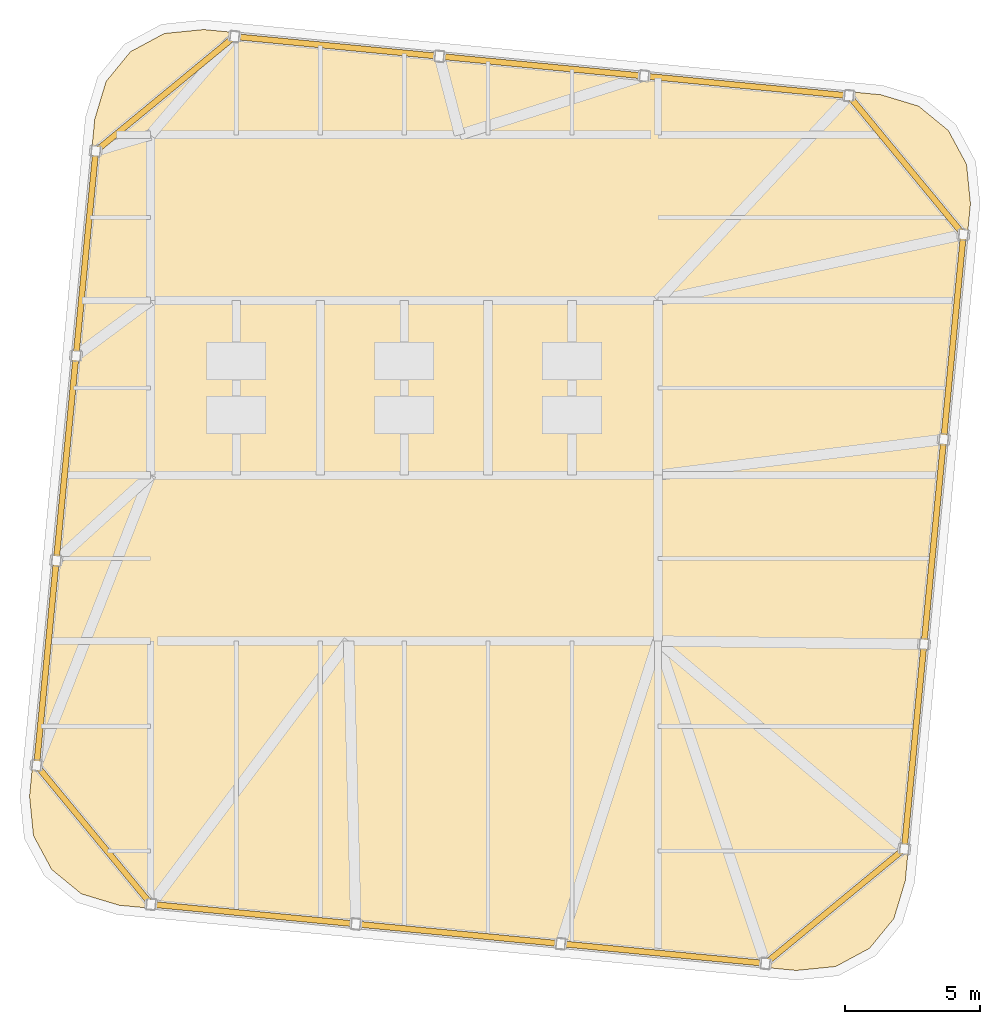
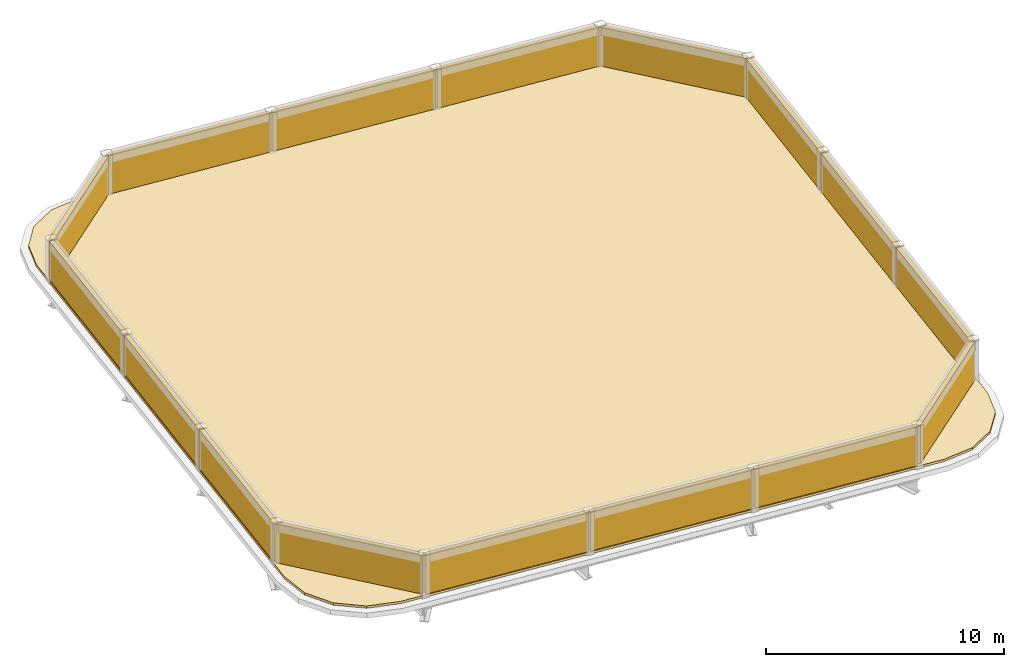
# One storey, part 4 of 4: 16 shading devices, 1 covering.
"""IFC4 building model written with IfcOpenShell, lengths in metres."""

from ifc_helpers import new_model, si_unit, direction, frame, origin, origin_2d, place, context, subcontext, project, spatial, polyline, rectangle, outline, extrude, material, layer, layer_set, type_object, element, save


model = new_model("IFC4")

# Units and contexts
model_context = context("Model", 3, precision=1e-05, world=origin(), true_north=direction((0.0, 1.0)))
body_context = subcontext(model_context, "Body", "Model", "MODEL_VIEW")
ifc_project = project(units=[si_unit("LENGTHUNIT", "METRE"), si_unit("AREAUNIT", "SQUARE_METRE"), si_unit("VOLUMEUNIT", "CUBIC_METRE"), si_unit("PLANEANGLEUNIT", "RADIAN"), si_unit("MASSUNIT", "GRAM", prefix="KILO")], contexts=[model_context])

# Site, building, storey
site_placement = place(None, origin())
site = spatial("IfcSite", under=ifc_project, at=site_placement, CompositionType="ELEMENT")
building_placement = place(site_placement, origin())
building = spatial("IfcBuilding", under=site, at=building_placement, Name="Qhalaya Broadcast Tower", CompositionType="ELEMENT")
storey_placement = place(building_placement, frame((0.0, 0.0, 296.75)))
storey = spatial("IfcBuildingStorey", under=building, at=storey_placement, Name="Roof", CompositionType="ELEMENT", Elevation=296.75)

# Covering
ifc_material_1 = material(Name="EPDM Insulated Roof Membrane")
ifc_layer = layer(ifc_material_1, 0.1201171875, Name="EPDM Insulated Roof Membrane")
ifc_layer_set = layer_set([ifc_layer], Name="EPDM Insulated Roof Membrane")
covering_type = type_object("IfcCoveringType", Name="EPDM Insulated Roof Membrane Assembly RFG-01", PredefinedType="ROOFING", material=ifc_layer_set)
covering_placement = place(storey_placement, origin())
element("IfcCovering", 1, at=covering_placement, inside=storey, type_object=covering_type, Name="Crown Insulated Roof Membrane RFG-01", PredefinedType="ROOFING", context=body_context, shape_type="SweptSolid", body=[
    extrude(outline(polyline([(14.490234375, -20.91943359375), (-10.525146484375, -18.5107421875), (-11.919921875, -18.091064453125), (-13.020751953125, -17.191650390625), (-13.693603515625, -15.939453125), (-13.839599609375, -14.490234375), (-11.430908203125, 10.525146484375), (-11.010986328125, 11.919921875), (-10.111572265625, 13.020751953125), (-8.859619140625, 13.693603515625), (-7.41015625, 13.839599609375), (17.60498046875, 11.430908203125), (19.0, 11.010986328125), (20.1005859375, 10.111572265625), (20.773681640625, 8.859619140625), (20.91943359375, 7.41015625), (18.5107421875, -17.60498046875), (18.091064453125, -19.0), (17.191650390625, -20.1005859375), (15.939453125, -20.773681640625), (14.490234375, -20.91943359375)])), origin(), (0.0, 0.0, 1.0), 0.1201171875),
])

# Shading devices
ifc_material_2 = material(Name="Fired Architectural Terracotta", Category="masonry")
shading_device_type = type_object("IfcShadingDeviceType", Name="Terracotta Baguette Solar Screen Assembly TBS-01", PredefinedType="USERDEFINED", material=ifc_material_2)
for number, where, z_axis, x_axis, name in (
    (2, (-5.568115234375, -18.83740234375, 0.0), (0.0, 0.0, 1.0), (0.995394525392, -0.095863125447, 0.0), "Crown Terracotta Baguette Screen R-01"),
    (3, (1.996826171875, -19.56591796875, 0.0), (0.0, 0.0, 1.0), (0.995396198367, -0.09584575252, 0.0), "Crown Terracotta Baguette Screen R-02"),
    (4, (9.56201171875, -20.294189453125, 0.0), (0.0, 0.0, 1.0), (0.995396198367, -0.09584575252, 0.0), "Crown Terracotta Baguette Screen R-03"),
):
    element("IfcShadingDevice", number, at=place(storey_placement, frame(where, z_axis=z_axis, x_axis=x_axis)), inside=storey, type_object=shading_device_type, Name=name, ObjectType="BAGUETTE", PredefinedType="USERDEFINED", context=body_context, shape_type="SweptSolid", body=[
        extrude(rectangle(XDim=7.5, YDim=0.219970703125, at=origin_2d()), origin(), (0.0, 0.0, 1.0), 2.10009765625),
    ])
shading_device_1_placement = place(storey_placement, frame((15.90869140625, -18.544677734375, 0.0), z_axis=(0.0, 0.0, 1.0), x_axis=(0.771624583388, 0.636078220278, 0.0)))
element("IfcShadingDevice", 5, at=shading_device_1_placement, inside=storey, type_object=shading_device_type, Name="Crown Terracotta Baguette Screen R-04", ObjectType="BAGUETTE", PredefinedType="USERDEFINED", context=body_context, shape_type="SweptSolid", body=[
    extrude(rectangle(XDim=6.546875, YDim=0.219970703125, at=origin_2d()), origin(), (0.0, 0.0, 1.0), 2.10009765625),
])
for number, where, z_axis, x_axis, name in (
    (6, (18.83740234375, -12.648193359375, 0.0), (0.0, 0.0, 1.0), (0.095863125447, 0.995394525392, 0.0), "Crown Terracotta Baguette Screen R-05"),
    (7, (19.56591796875, -5.0830078125, 0.0), (0.0, 0.0, 1.0), (0.09584575252, 0.995396198367, 0.0), "Crown Terracotta Baguette Screen R-06"),
    (8, (20.294189453125, 2.48193359375, 0.0), (0.0, 0.0, 1.0), (0.09584575252, 0.995396198367, 0.0), "Crown Terracotta Baguette Screen R-07"),
):
    element("IfcShadingDevice", number, at=place(storey_placement, frame(where, z_axis=z_axis, x_axis=x_axis)), inside=storey, type_object=shading_device_type, Name=name, ObjectType="BAGUETTE", PredefinedType="USERDEFINED", context=body_context, shape_type="SweptSolid", body=[
        extrude(rectangle(XDim=7.5, YDim=0.219970703125, at=origin_2d()), origin(), (0.0, 0.0, 1.0), 2.10009765625),
    ])
shading_device_2_placement = place(storey_placement, frame((18.544677734375, 8.828857421875, 0.0), z_axis=(0.0, 0.0, 1.0), x_axis=(-0.636078220278, 0.771624583388, 0.0)))
element("IfcShadingDevice", 9, at=shading_device_2_placement, inside=storey, type_object=shading_device_type, Name="Crown Terracotta Baguette Screen R-08", ObjectType="BAGUETTE", PredefinedType="USERDEFINED", context=body_context, shape_type="SweptSolid", body=[
    extrude(rectangle(XDim=6.546875, YDim=0.219970703125, at=origin_2d()), origin(), (0.0, 0.0, 1.0), 2.10009765625),
])
for number, where, z_axis, x_axis, name in (
    (10, (12.648193359375, 11.757568359375, 0.0), (0.0, 0.0, 1.0), (-0.995394525392, 0.095863125447, 0.0), "Crown Terracotta Baguette Screen R-09"),
    (11, (5.0830078125, 12.48583984375, 0.0), (0.0, 0.0, 1.0), (-0.995396198367, 0.09584575252, 0.0), "Crown Terracotta Baguette Screen R-10"),
    (12, (-2.48193359375, 13.21435546875, 0.0), (0.0, 0.0, 1.0), (-0.995396198367, 0.09584575252, 0.0), "Crown Terracotta Baguette Screen R-11"),
):
    element("IfcShadingDevice", number, at=place(storey_placement, frame(where, z_axis=z_axis, x_axis=x_axis)), inside=storey, type_object=shading_device_type, Name=name, ObjectType="BAGUETTE", PredefinedType="USERDEFINED", context=body_context, shape_type="SweptSolid", body=[
        extrude(rectangle(XDim=7.5, YDim=0.219970703125, at=origin_2d()), origin(), (0.0, 0.0, 1.0), 2.10009765625),
    ])
shading_device_3_placement = place(storey_placement, frame((-8.828857421875, 11.464599609375, 0.0), z_axis=(0.0, 0.0, 1.0), x_axis=(-0.771624583388, -0.636078220278, 0.0)))
element("IfcShadingDevice", 13, at=shading_device_3_placement, inside=storey, type_object=shading_device_type, Name="Crown Terracotta Baguette Screen R-12", ObjectType="BAGUETTE", PredefinedType="USERDEFINED", context=body_context, shape_type="SweptSolid", body=[
    extrude(rectangle(XDim=6.546875, YDim=0.219970703125, at=origin_2d()), origin(), (0.0, 0.0, 1.0), 2.10009765625),
])
for number, where, z_axis, x_axis, name in (
    (14, (-11.757568359375, 5.568115234375, 0.0), (0.0, 0.0, 1.0), (-0.095863125447, -0.995394525392, 0.0), "Crown Terracotta Baguette Screen R-13"),
    (15, (-12.48583984375, -1.996826171875, 0.0), (0.0, 0.0, 1.0), (-0.09584575252, -0.995396198367, 0.0), "Crown Terracotta Baguette Screen R-14"),
    (16, (-13.21435546875, -9.56201171875, 0.0), (0.0, 0.0, 1.0), (-0.09584575252, -0.995396198367, 0.0), "Crown Terracotta Baguette Screen R-15"),
):
    element("IfcShadingDevice", number, at=place(storey_placement, frame(where, z_axis=z_axis, x_axis=x_axis)), inside=storey, type_object=shading_device_type, Name=name, ObjectType="BAGUETTE", PredefinedType="USERDEFINED", context=body_context, shape_type="SweptSolid", body=[
        extrude(rectangle(XDim=7.5, YDim=0.219970703125, at=origin_2d()), origin(), (0.0, 0.0, 1.0), 2.10009765625),
    ])
shading_device_4_placement = place(storey_placement, frame((-11.464599609375, -15.90869140625, 0.0), z_axis=(0.0, 0.0, 1.0), x_axis=(0.636078220278, -0.771624583388, 0.0)))
element("IfcShadingDevice", 17, at=shading_device_4_placement, inside=storey, type_object=shading_device_type, Name="Crown Terracotta Baguette Screen R-16", ObjectType="BAGUETTE", PredefinedType="USERDEFINED", context=body_context, shape_type="SweptSolid", body=[
    extrude(rectangle(XDim=6.546875, YDim=0.219970703125, at=origin_2d()), origin(), (0.0, 0.0, 1.0), 2.10009765625),
])

save(model, "model.ifc")
